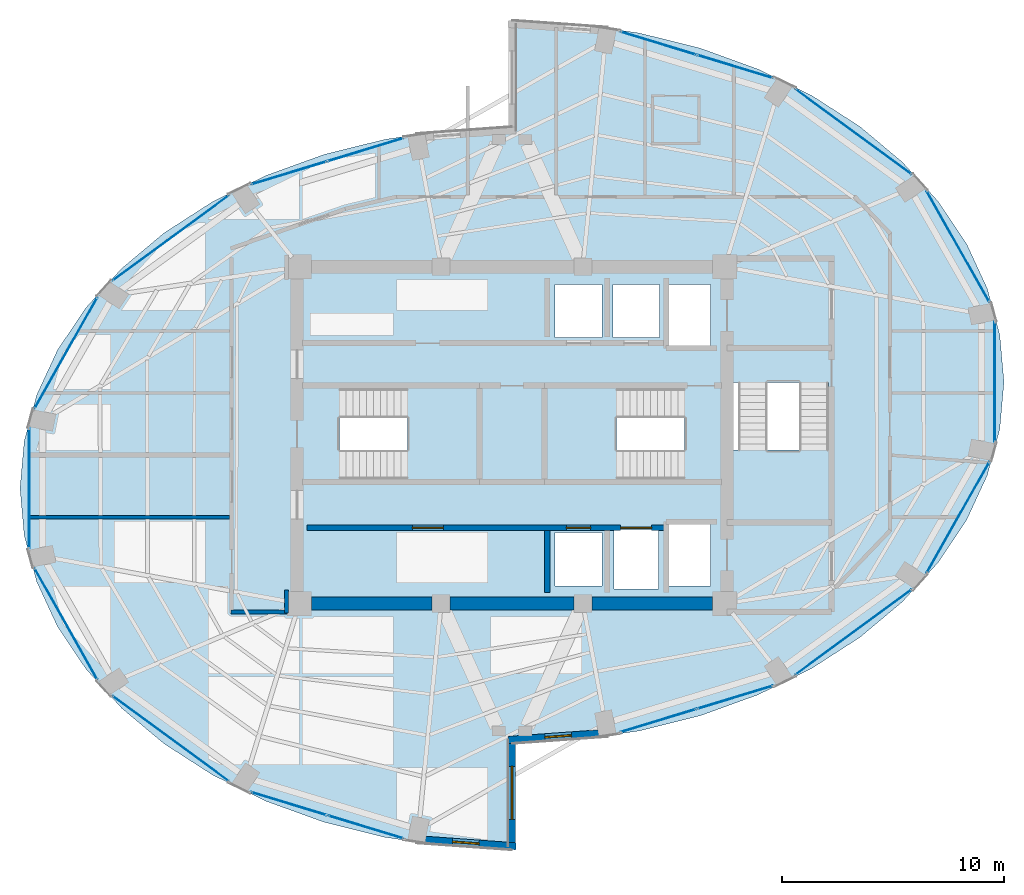
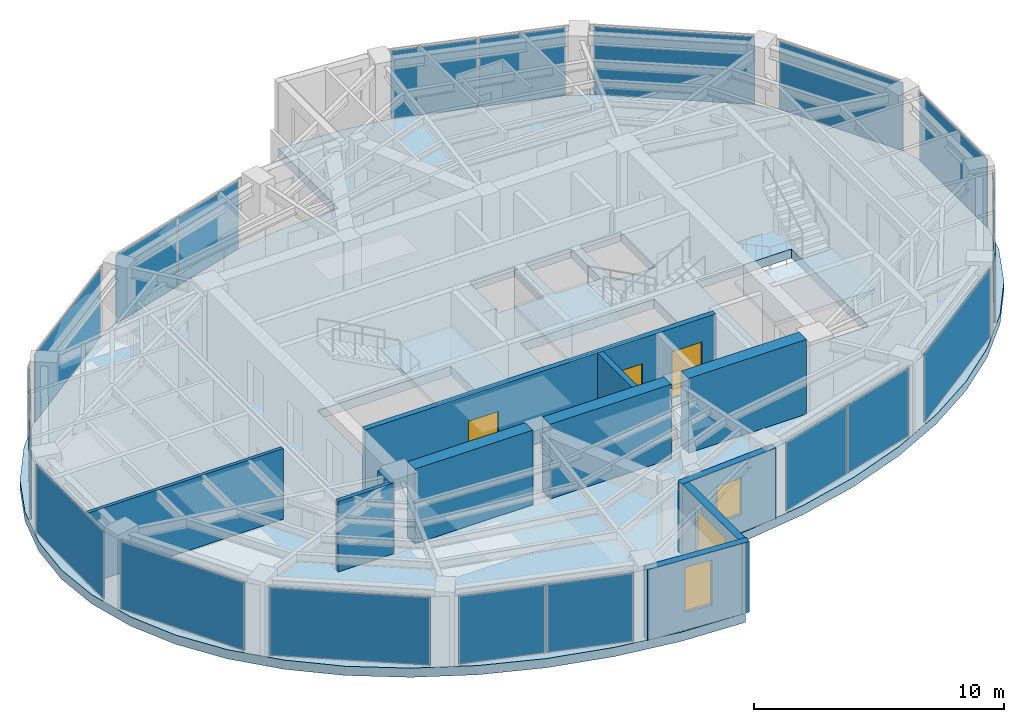
# One storey, part 18 of 23: 18 plates, 11 walls, 4 slabs, 3 doors, 3 windows, 6 openings, 17 elements without a shape of their own.
"""IFC4 building model written with IfcOpenShell, lengths in metres."""

from ifc_helpers import new_model, si_unit, direction, frame, frame_2d, origin, origin_2d, place, context, subcontext, project, spatial, polyline, rectangle, outline, extrude, material, layer, layer_set, type_object, element, fill, aggregate, save


model = new_model("IFC4")

# Units and contexts
model_context = context("Model", 3, precision=1e-05, world=origin(), true_north=direction((0.0, 1.0)))
body_context = subcontext(model_context, "Body", "Model", "MODEL_VIEW")
ifc_project = project(units=[si_unit("LENGTHUNIT", "METRE"), si_unit("AREAUNIT", "SQUARE_METRE"), si_unit("VOLUMEUNIT", "CUBIC_METRE"), si_unit("PLANEANGLEUNIT", "RADIAN"), si_unit("MASSUNIT", "GRAM", prefix="KILO")], contexts=[model_context])

# Site, building, storey
site_placement = place(None, origin())
site = spatial("IfcSite", under=ifc_project, at=site_placement, CompositionType="ELEMENT")
building_placement = place(site_placement, origin())
building = spatial("IfcBuilding", under=site, at=building_placement, Name="Lazwardi Medical Tower", CompositionType="ELEMENT")
storey_placement = place(building_placement, frame((0.0, 0.0, 194.83203125)))
storey = spatial("IfcBuildingStorey", under=building, at=storey_placement, Name="L50", CompositionType="ELEMENT", Elevation=194.83203125)

# Curtain wall, plates
ifc_material_1 = material(Name="Anodised bronze aluminium and solar control glazing", Category="aluminium")
ifc_layer_1 = layer(ifc_material_1, 0.18994140625)
ifc_layer_set_1 = layer_set([ifc_layer_1], Name="Anodised bronze aluminium and solar control glazing")
curtain_wall_type = type_object("IfcCurtainWallType", Name="CW-SYS-04", PredefinedType="NOTDEFINED", material=ifc_layer_set_1)
curtain_wall_1_placement = place(storey_placement, origin())
curtain_wall_1 = element("IfcCurtainWall", 1, at=curtain_wall_1_placement, inside=storey, type_object=curtain_wall_type, Name="L50 Unitised bronze curtain wall CW-04", PredefinedType="NOTDEFINED")
ifc_material_2 = material(Name="Low-e bronze solar control double glazing", Category="glass")
ifc_layer_2 = layer(ifc_material_2, 0.035888671875)
ifc_layer_set_2 = layer_set([ifc_layer_2], Name="Low-e bronze solar control double glazing")
plate_type = type_object("IfcPlateType", Name="PLT-GLZ-01", PredefinedType="CURTAIN_PANEL", material=ifc_layer_set_2)
plate_1_placement = place(storey_placement, frame((42.604736328125, 15.118896484375, 0.06494140625), z_axis=(0.0, 0.0, 1.0), x_axis=(0.956850126972, 0.290581889515, 0.0)))
plate_1 = element("IfcPlate", 2, at=plate_1_placement, type_object=plate_type, Name="CW-04 panel 1.1", PredefinedType="CURTAIN_PANEL", context=body_context, shape_type="SweptSolid", body=[
    extrude(rectangle(XDim=3.554443359375, YDim=0.035888671875, at=origin_2d()), origin(), (0.0, 0.0, 1.0), 3.318115234375),
])
plate_2_placement = place(storey_placement, frame((46.068115234375, 16.170654296875, 0.06494140625), z_axis=(0.0, 0.0, 1.0), x_axis=(0.956850126972, 0.290581889515, 0.0)))
plate_2 = element("IfcPlate", 3, at=plate_2_placement, type_object=plate_type, Name="CW-04 panel 2.1", PredefinedType="CURTAIN_PANEL", context=body_context, shape_type="SweptSolid", body=[
    extrude(rectangle(XDim=3.554443359375, YDim=0.035888671875, at=origin_2d()), origin(), (0.0, 0.0, 1.0), 3.318115234375),
])
aggregate(curtain_wall_1, [plate_1, plate_2])

# Curtain wall, plate
curtain_wall_2_placement = place(storey_placement, origin())
curtain_wall_2 = element("IfcCurtainWall", 4, at=curtain_wall_2_placement, inside=storey, type_object=curtain_wall_type, Name="L50 Unitised bronze curtain wall CW-04", PredefinedType="NOTDEFINED")
plate_3_placement = place(storey_placement, frame((51.403564453125, 19.106689453125, 0.06494140625), z_axis=(0.0, 0.0, 1.0), x_axis=(0.806474971121, 0.591268230971, 0.0)))
plate_3 = element("IfcPlate", 5, at=plate_3_placement, type_object=plate_type, Name="CW-04 panel 1.1", PredefinedType="CURTAIN_PANEL", context=body_context, shape_type="SweptSolid", body=[
    extrude(rectangle(XDim=6.502685546875, YDim=0.035888671875, at=origin_2d()), origin(), (0.0, 0.0, 1.0), 3.318115234375),
])
aggregate(curtain_wall_2, [plate_3])

curtain_wall_3_placement = place(storey_placement, origin())
curtain_wall_3 = element("IfcCurtainWall", 6, at=curtain_wall_3_placement, inside=storey, type_object=curtain_wall_type, Name="L50 Unitised bronze curtain wall CW-04", PredefinedType="NOTDEFINED")
plate_4_placement = place(storey_placement, frame((56.125732421875, 24.2880859375, 0.06494140625), z_axis=(0.0, 0.0, 1.0), x_axis=(0.491900474661, 0.870651436011, 0.0)))
plate_4 = element("IfcPlate", 7, at=plate_4_placement, type_object=plate_type, Name="CW-04 panel 1.1", PredefinedType="CURTAIN_PANEL", context=body_context, shape_type="SweptSolid", body=[
    extrude(rectangle(XDim=5.755126953125, YDim=0.035888671875, at=origin_2d()), origin(), (0.0, 0.0, 1.0), 3.318115234375),
])
aggregate(curtain_wall_3, [plate_4])

curtain_wall_4_placement = place(storey_placement, origin())
curtain_wall_4 = element("IfcCurtainWall", 8, at=curtain_wall_4_placement, inside=storey, type_object=curtain_wall_type, Name="L50 Unitised bronze curtain wall CW-04", PredefinedType="NOTDEFINED")
plate_5_placement = place(storey_placement, frame((57.7841796875, 30.39990234375, 0.06494140625), z_axis=(0.0, 0.0, 1.0), x_axis=(0.0, 1.0, 0.0)))
plate_5 = element("IfcPlate", 9, at=plate_5_placement, type_object=plate_type, Name="CW-04 panel 1.1", PredefinedType="CURTAIN_PANEL", context=body_context, shape_type="SweptSolid", body=[
    extrude(rectangle(XDim=5.416015625, YDim=0.035888671875, at=origin_2d()), origin(), (0.0, 0.0, 1.0), 3.318115234375),
])
aggregate(curtain_wall_4, [plate_5])

curtain_wall_5_placement = place(storey_placement, origin())
curtain_wall_5 = element("IfcCurtainWall", 10, at=curtain_wall_5_placement, inside=storey, type_object=curtain_wall_type, Name="L50 Unitised bronze curtain wall CW-04", PredefinedType="NOTDEFINED")
plate_6_placement = place(storey_placement, frame((56.125732421875, 36.511962890625, 0.06494140625), z_axis=(0.0, 0.0, 1.0), x_axis=(-0.491900474661, 0.870651436011, 0.0)))
plate_6 = element("IfcPlate", 11, at=plate_6_placement, type_object=plate_type, Name="CW-04 panel 1.1", PredefinedType="CURTAIN_PANEL", context=body_context, shape_type="SweptSolid", body=[
    extrude(rectangle(XDim=5.755126953125, YDim=0.035888671875, at=origin_2d()), origin(), (0.0, 0.0, 1.0), 3.318115234375),
])
aggregate(curtain_wall_5, [plate_6])

curtain_wall_6_placement = place(storey_placement, origin())
curtain_wall_6 = element("IfcCurtainWall", 12, at=curtain_wall_6_placement, inside=storey, type_object=curtain_wall_type, Name="L50 Unitised bronze curtain wall CW-04", PredefinedType="NOTDEFINED")
plate_7_placement = place(storey_placement, frame((51.403564453125, 41.693359375, 0.06494140625), z_axis=(0.0, 0.0, 1.0), x_axis=(-0.806474971121, 0.591268230971, 0.0)))
plate_7 = element("IfcPlate", 13, at=plate_7_placement, type_object=plate_type, Name="CW-04 panel 1.1", PredefinedType="CURTAIN_PANEL", context=body_context, shape_type="SweptSolid", body=[
    extrude(rectangle(XDim=6.502685546875, YDim=0.035888671875, at=origin_2d()), origin(), (0.0, 0.0, 1.0), 3.318115234375),
])
aggregate(curtain_wall_6, [plate_7])

# Curtain wall, plates
curtain_wall_7_placement = place(storey_placement, origin())
curtain_wall_7 = element("IfcCurtainWall", 14, at=curtain_wall_7_placement, inside=storey, type_object=curtain_wall_type, Name="L50 Unitised bronze curtain wall CW-04", PredefinedType="NOTDEFINED")
plate_8_placement = place(storey_placement, frame((46.068115234375, 44.62939453125, 0.06494140625), z_axis=(0.0, 0.0, 1.0), x_axis=(-0.956850126972, 0.290581889515, 0.0)))
plate_8 = element("IfcPlate", 15, at=plate_8_placement, type_object=plate_type, Name="CW-04 panel 1.1", PredefinedType="CURTAIN_PANEL", context=body_context, shape_type="SweptSolid", body=[
    extrude(rectangle(XDim=3.554443359375, YDim=0.035888671875, at=origin_2d()), origin(), (0.0, 0.0, 1.0), 3.318115234375),
])
plate_9_placement = place(storey_placement, frame((42.604736328125, 45.68115234375, 0.06494140625), z_axis=(0.0, 0.0, 1.0), x_axis=(-0.956850126972, 0.290581889515, 0.0)))
plate_9 = element("IfcPlate", 16, at=plate_9_placement, type_object=plate_type, Name="CW-04 panel 2.1", PredefinedType="CURTAIN_PANEL", context=body_context, shape_type="SweptSolid", body=[
    extrude(rectangle(XDim=3.554443359375, YDim=0.035888671875, at=origin_2d()), origin(), (0.0, 0.0, 1.0), 3.318115234375),
])
aggregate(curtain_wall_7, [plate_8, plate_9])

curtain_wall_8_placement = place(storey_placement, origin())
curtain_wall_8 = element("IfcCurtainWall", 17, at=curtain_wall_8_placement, inside=storey, type_object=curtain_wall_type, Name="L50 Unitised bronze curtain wall CW-04", PredefinedType="NOTDEFINED")
plate_10_placement = place(storey_placement, frame((29.395263671875, 40.881103515625, 0.06494140625), z_axis=(0.0, 0.0, 1.0), x_axis=(-0.956850126972, -0.290581889515, 0.0)))
plate_10 = element("IfcPlate", 18, at=plate_10_placement, type_object=plate_type, Name="CW-04 panel 1.1", PredefinedType="CURTAIN_PANEL", context=body_context, shape_type="SweptSolid", body=[
    extrude(rectangle(XDim=3.554443359375, YDim=0.035888671875, at=origin_2d()), origin(), (0.0, 0.0, 1.0), 3.318115234375),
])
plate_11_placement = place(storey_placement, frame((25.931884765625, 39.829345703125, 0.06494140625), z_axis=(0.0, 0.0, 1.0), x_axis=(-0.956850126972, -0.290581889515, 0.0)))
plate_11 = element("IfcPlate", 19, at=plate_11_placement, type_object=plate_type, Name="CW-04 panel 2.1", PredefinedType="CURTAIN_PANEL", context=body_context, shape_type="SweptSolid", body=[
    extrude(rectangle(XDim=3.554443359375, YDim=0.035888671875, at=origin_2d()), origin(), (0.0, 0.0, 1.0), 3.318115234375),
])
aggregate(curtain_wall_8, [plate_10, plate_11])

# Curtain wall, plate
curtain_wall_9_placement = place(storey_placement, origin())
curtain_wall_9 = element("IfcCurtainWall", 20, at=curtain_wall_9_placement, inside=storey, type_object=curtain_wall_type, Name="L50 Unitised bronze curtain wall CW-04", PredefinedType="NOTDEFINED")
plate_12_placement = place(storey_placement, frame((20.596435546875, 36.893310546875, 0.06494140625), z_axis=(0.0, 0.0, 1.0), x_axis=(-0.806474971121, -0.591268230971, 0.0)))
plate_12 = element("IfcPlate", 21, at=plate_12_placement, type_object=plate_type, Name="CW-04 panel 1.1", PredefinedType="CURTAIN_PANEL", context=body_context, shape_type="SweptSolid", body=[
    extrude(rectangle(XDim=6.502685546875, YDim=0.035888671875, at=origin_2d()), origin(), (0.0, 0.0, 1.0), 3.318115234375),
])
aggregate(curtain_wall_9, [plate_12])

curtain_wall_10_placement = place(storey_placement, origin())
curtain_wall_10 = element("IfcCurtainWall", 22, at=curtain_wall_10_placement, inside=storey, type_object=curtain_wall_type, Name="L50 Unitised bronze curtain wall CW-04", PredefinedType="NOTDEFINED")
plate_13_placement = place(storey_placement, frame((15.874267578125, 31.7119140625, 0.06494140625), z_axis=(0.0, 0.0, 1.0), x_axis=(-0.491900474661, -0.870651436011, 0.0)))
plate_13 = element("IfcPlate", 23, at=plate_13_placement, type_object=plate_type, Name="CW-04 panel 1.1", PredefinedType="CURTAIN_PANEL", context=body_context, shape_type="SweptSolid", body=[
    extrude(rectangle(XDim=5.755126953125, YDim=0.035888671875, at=origin_2d()), origin(), (0.0, 0.0, 1.0), 3.318115234375),
])
aggregate(curtain_wall_10, [plate_13])

curtain_wall_11_placement = place(storey_placement, origin())
curtain_wall_11 = element("IfcCurtainWall", 24, at=curtain_wall_11_placement, inside=storey, type_object=curtain_wall_type, Name="L50 Unitised bronze curtain wall CW-04", PredefinedType="NOTDEFINED")
plate_14_placement = place(storey_placement, frame((14.2158203125, 25.60009765625, 0.06494140625), z_axis=(0.0, 0.0, 1.0), x_axis=(0.0, -1.0, 0.0)))
plate_14 = element("IfcPlate", 25, at=plate_14_placement, type_object=plate_type, Name="CW-04 panel 1.1", PredefinedType="CURTAIN_PANEL", context=body_context, shape_type="SweptSolid", body=[
    extrude(rectangle(XDim=5.416015625, YDim=0.035888671875, at=origin_2d()), origin(), (0.0, 0.0, 1.0), 3.318115234375),
])
aggregate(curtain_wall_11, [plate_14])

curtain_wall_12_placement = place(storey_placement, origin())
curtain_wall_12 = element("IfcCurtainWall", 26, at=curtain_wall_12_placement, inside=storey, type_object=curtain_wall_type, Name="L50 Unitised bronze curtain wall CW-04", PredefinedType="NOTDEFINED")
plate_15_placement = place(storey_placement, frame((15.874267578125, 19.488037109375, 0.06494140625), z_axis=(0.0, 0.0, 1.0), x_axis=(0.491900474661, -0.870651436011, 0.0)))
plate_15 = element("IfcPlate", 27, at=plate_15_placement, type_object=plate_type, Name="CW-04 panel 1.1", PredefinedType="CURTAIN_PANEL", context=body_context, shape_type="SweptSolid", body=[
    extrude(rectangle(XDim=5.755126953125, YDim=0.035888671875, at=origin_2d()), origin(), (0.0, 0.0, 1.0), 3.318115234375),
])
aggregate(curtain_wall_12, [plate_15])

curtain_wall_13_placement = place(storey_placement, origin())
curtain_wall_13 = element("IfcCurtainWall", 28, at=curtain_wall_13_placement, inside=storey, type_object=curtain_wall_type, Name="L50 Unitised bronze curtain wall CW-04", PredefinedType="NOTDEFINED")
plate_16_placement = place(storey_placement, frame((20.596435546875, 14.306640625, 0.06494140625), z_axis=(0.0, 0.0, 1.0), x_axis=(0.806474971121, -0.591268230971, 0.0)))
plate_16 = element("IfcPlate", 29, at=plate_16_placement, type_object=plate_type, Name="CW-04 panel 1.1", PredefinedType="CURTAIN_PANEL", context=body_context, shape_type="SweptSolid", body=[
    extrude(rectangle(XDim=6.502685546875, YDim=0.035888671875, at=origin_2d()), origin(), (0.0, 0.0, 1.0), 3.318115234375),
])
aggregate(curtain_wall_13, [plate_16])

# Curtain wall, plates
curtain_wall_14_placement = place(storey_placement, origin())
curtain_wall_14 = element("IfcCurtainWall", 30, at=curtain_wall_14_placement, inside=storey, type_object=curtain_wall_type, Name="L50 Unitised bronze curtain wall CW-04", PredefinedType="NOTDEFINED")
plate_17_placement = place(storey_placement, frame((25.931884765625, 11.37060546875, 0.06494140625), z_axis=(0.0, 0.0, 1.0), x_axis=(0.956850126972, -0.290581889515, 0.0)))
plate_17 = element("IfcPlate", 31, at=plate_17_placement, type_object=plate_type, Name="CW-04 panel 1.1", PredefinedType="CURTAIN_PANEL", context=body_context, shape_type="SweptSolid", body=[
    extrude(rectangle(XDim=3.554443359375, YDim=0.035888671875, at=origin_2d()), origin(), (0.0, 0.0, 1.0), 3.318115234375),
])
plate_18_placement = place(storey_placement, frame((29.395263671875, 10.31884765625, 0.06494140625), z_axis=(0.0, 0.0, 1.0), x_axis=(0.956850126972, -0.290581889515, 0.0)))
plate_18 = element("IfcPlate", 32, at=plate_18_placement, type_object=plate_type, Name="CW-04 panel 2.1", PredefinedType="CURTAIN_PANEL", context=body_context, shape_type="SweptSolid", body=[
    extrude(rectangle(XDim=3.554443359375, YDim=0.035888671875, at=origin_2d()), origin(), (0.0, 0.0, 1.0), 3.318115234375),
])
aggregate(curtain_wall_14, [plate_17, plate_18])

# Stair, slab
ifc_material_3 = material(Name="Concrete C45/55", Category="concrete")
stair_type = type_object("IfcStairType", Name="STR-WRD", PredefinedType="HALF_TURN_STAIR", material=ifc_material_3)
stair_1_placement = place(storey_placement, origin())
stair_1 = element("IfcStair", 33, at=stair_1_placement, inside=storey, type_object=stair_type, Name="L50 Protected Exit Stair ST1", PredefinedType="HALF_TURN_STAIR")
ifc_layer_3 = layer(ifc_material_3, 0.199951171875)
ifc_layer_set_3 = layer_set([ifc_layer_3], Name="Concrete C45/55")
slab_type_1 = type_object("IfcSlabType", Name="SLB-LND-190", PredefinedType="LANDING", material=ifc_layer_set_3)
slab_1_placement = place(storey_placement, frame((0.0, 0.0, 1.6240234375)))
slab_1 = element("IfcSlab", 34, at=slab_1_placement, type_object=slab_type_1, Name="ST1 landing 1", PredefinedType="LANDING", context=body_context, shape_type="SweptSolid", body=[
    extrude(outline(polyline([(31.27490234375, 25.840087890625), (34.580078125, 25.840087890625), (34.580078125, 30.280029296875), (31.27490234375, 30.280029296875), (31.27490234375, 25.840087890625)])), origin(), (0.0, 0.0, 1.0), 0.199951171875),
])
aggregate(stair_1, [slab_1])

stair_2_placement = place(storey_placement, origin())
stair_2 = element("IfcStair", 35, at=stair_2_placement, inside=storey, type_object=stair_type, Name="L50 Protected Exit Stair ST2", PredefinedType="HALF_TURN_STAIR")
slab_2_placement = place(storey_placement, frame((0.0, 0.0, 1.6240234375)))
slab_2 = element("IfcSlab", 36, at=slab_2_placement, type_object=slab_type_1, Name="ST2 landing 1", PredefinedType="LANDING", context=body_context, shape_type="SweptSolid", body=[
    extrude(outline(polyline([(40.72509765625, 30.280029296875), (37.419921875, 30.280029296875), (37.419921875, 25.840087890625), (40.72509765625, 25.840087890625), (40.72509765625, 30.280029296875)])), origin(), (0.0, 0.0, 1.0), 0.199951171875),
])
aggregate(stair_2, [slab_2])

stair_3_placement = place(storey_placement, origin())
stair_3 = element("IfcStair", 37, at=stair_3_placement, inside=storey, type_object=stair_type, Name="L50 Protected Exit Stair ST3", PredefinedType="HALF_TURN_STAIR")
slab_3_placement = place(storey_placement, frame((0.0, 0.0, 1.6240234375)))
slab_3 = element("IfcSlab", 38, at=slab_3_placement, type_object=slab_type_1, Name="ST3 landing 1", PredefinedType="LANDING", context=body_context, shape_type="SweptSolid", body=[
    extrude(outline(polyline([(45.860107421875, 27.324951171875), (45.860107421875, 24.02001953125), (50.4599609375, 24.02001953125), (50.4599609375, 27.324951171875), (45.860107421875, 27.324951171875)])), origin(), (0.0, 0.0, 1.0), 0.199951171875),
])
aggregate(stair_3, [slab_3])

# Slab
ifc_material_4 = material(Name="Concrete C60/75", Category="concrete")
ifc_layer_4 = layer(ifc_material_4, 0.449951171875)
ifc_layer_set_4 = layer_set([ifc_layer_4], Name="Concrete C60/75")
slab_type_2 = type_object("IfcSlabType", Name="SLB-TRN-450", PredefinedType="FLOOR", material=ifc_layer_set_4)
slab_4_placement = place(storey_placement, frame((0.0, 0.0, -0.449951171875)))
element("IfcSlab", 39, at=slab_4_placement, inside=storey, type_object=slab_type_2, Name="Structural floor slab SF-02 L50", PredefinedType="FLOOR", context=body_context, shape_type="SweptSolid", body=[
    extrude(outline(polyline([(18.3876953125, 15.67724609375), (20.30224609375, 14.07421875), (22.485595703125, 12.668212890625), (24.89990234375, 11.48388671875), (27.50439453125, 10.540771484375), (30.254150390625, 9.85546875), (33.102294921875, 9.439453125), (36.0, 9.300048828125), (36.0, 14.10009765625), (38.897705078125, 14.239501953125), (41.745849609375, 14.655517578125), (44.49560546875, 15.3408203125), (47.10009765625, 16.28369140625), (49.514404296875, 17.46826171875), (51.69775390625, 18.874267578125), (53.6123046875, 20.477294921875), (55.225830078125, 22.25), (56.510009765625, 24.162353515625), (57.443603515625, 26.18115234375), (58.010009765625, 28.2724609375), (58.199951171875, 30.39990234375), (58.010009765625, 32.527587890625), (57.443603515625, 34.618896484375), (56.510009765625, 36.6376953125), (55.225830078125, 38.550048828125), (53.6123046875, 40.32275390625), (51.69775390625, 41.92578125), (49.514404296875, 43.331787109375), (47.10009765625, 44.51611328125), (44.49560546875, 45.459228515625), (41.745849609375, 46.14453125), (38.897705078125, 46.560546875), (36.0, 46.699951171875), (36.0, 41.89990234375), (33.102294921875, 41.760498046875), (30.254150390625, 41.344482421875), (27.50439453125, 40.6591796875), (24.89990234375, 39.71630859375), (22.485595703125, 38.53173828125), (20.30224609375, 37.125732421875), (18.3876953125, 35.522705078125), (16.774169921875, 33.75), (15.489990234375, 31.837646484375), (14.556396484375, 29.81884765625), (13.989990234375, 27.7275390625), (13.800048828125, 25.60009765625), (13.989990234375, 23.472412109375), (14.556396484375, 21.381103515625), (15.489990234375, 19.3623046875), (16.774169921875, 17.449951171875), (18.3876953125, 15.67724609375)]), holes=[polyline([(28.22509765625, 26.02001953125), (28.22509765625, 30.10009765625), (34.39990234375, 30.10009765625), (34.39990234375, 26.02001953125), (28.22509765625, 26.02001953125)]), polyline([(37.60009765625, 30.10009765625), (43.77490234375, 30.10009765625), (43.77490234375, 26.02001953125), (37.60009765625, 26.02001953125), (37.60009765625, 30.10009765625)]), polyline([(50.280029296875, 30.375), (50.280029296875, 24.179931640625), (45.840087890625, 24.179931640625), (45.840087890625, 30.375), (50.280029296875, 30.375)]), polyline([(40.050048828125, 32.39990234375), (37.949951171875, 32.39990234375), (37.949951171875, 34.800048828125), (40.050048828125, 34.800048828125), (40.050048828125, 32.39990234375)]), polyline([(40.550048828125, 32.39990234375), (40.550048828125, 34.800048828125), (42.64990234375, 34.800048828125), (42.64990234375, 32.39990234375), (40.550048828125, 32.39990234375)]), polyline([(37.949951171875, 23.60009765625), (40.050048828125, 23.60009765625), (40.050048828125, 21.199951171875), (37.949951171875, 21.199951171875), (37.949951171875, 23.60009765625)]), polyline([(44.949951171875, 34.800048828125), (44.949951171875, 32.0), (43.050048828125, 32.0), (43.050048828125, 34.800048828125), (44.949951171875, 34.800048828125)]), polyline([(44.949951171875, 21.199951171875), (43.050048828125, 21.199951171875), (43.050048828125, 24.0), (44.949951171875, 24.0), (44.949951171875, 21.199951171875)]), polyline([(40.60009765625, 21.050048828125), (40.60009765625, 23.75), (42.60009765625, 23.75), (42.60009765625, 21.050048828125), (40.60009765625, 21.050048828125)])]), origin(), (0.0, 0.0, 1.0), 0.449951171875),
])

# Walls
ifc_material_5 = material(Name="Fire-rated gypsum board on steel stud", Category="steel")
ifc_layer_5 = layer(ifc_material_5, 0.179931640625)
ifc_layer_set_5 = layer_set([ifc_layer_5], Name="Fire-rated gypsum board on steel stud")
wall_type_1 = type_object("IfcWallType", Name="WL-COR-180", PredefinedType="PARTITIONING", material=ifc_layer_set_5)
wall_1_placement = place(storey_placement, frame((25.830078125, 21.010009765625, 0.0), z_axis=(0.0, 0.0, 1.0), x_axis=(0.0, -1.0, 0.0)))
element("IfcWall", 40, at=wall_1_placement, inside=storey, type_object=wall_type_1, Name="L50 Corridor partition 8", PredefinedType="PARTITIONING", context=body_context, shape_type="SweptSolid", body=[
    extrude(rectangle(XDim=1.030029296875, YDim=0.179931640625, at=frame_2d((0.51513671875, 0.0))), origin(), (0.0, 0.0, 1.0), 3.447998046875),
])
wall_2_placement = place(storey_placement, frame((25.8701171875, 20.02001953125, 0.0), z_axis=(0.0, 0.0, 1.0), x_axis=(-1.0, 0.0, 0.0)))
element("IfcWall", 41, at=wall_2_placement, inside=storey, type_object=wall_type_1, Name="L50 Corridor partition 9", PredefinedType="PARTITIONING", context=body_context, shape_type="SweptSolid", body=[
    extrude(rectangle(XDim=2.56005859375, YDim=0.179931640625, at=frame_2d((1.280029296875, 0.0))), origin(), (0.0, 0.0, 1.0), 3.447998046875),
])
ifc_layer_6 = layer(ifc_material_4, 0.60009765625)
ifc_layer_set_6 = layer_set([ifc_layer_6], Name="Concrete C60/75")
wall_type_2 = type_object("IfcWallType", Name="WL-CORE-600", PredefinedType="SHEAR", material=ifc_layer_set_6)
wall_3_placement = place(storey_placement, frame((26.949951171875, 20.39990234375, 0.0), z_axis=(0.0, 0.0, 1.0), x_axis=(1.0, 0.0, 0.0)))
element("IfcWall", 42, at=wall_3_placement, inside=storey, type_object=wall_type_2, Name="Core wall CW-S3 S1 L50", PredefinedType="SHEAR", context=body_context, shape_type="SweptSolid", body=[
    extrude(rectangle(XDim=5.449951171875, YDim=0.60009765625, at=frame_2d((2.72509765625, 0.0))), origin(), (0.0, 0.0, 1.0), 3.64794921875),
])
wall_4_placement = place(storey_placement, frame((33.199951171875, 20.39990234375, 0.0), z_axis=(0.0, 0.0, 1.0), x_axis=(1.0, 0.0, 0.0)))
element("IfcWall", 43, at=wall_4_placement, inside=storey, type_object=wall_type_2, Name="Core wall CW-S3 S2 L50", PredefinedType="SHEAR", context=body_context, shape_type="SweptSolid", body=[
    extrude(rectangle(XDim=5.60009765625, YDim=0.60009765625, at=frame_2d((2.800048828125, 0.0))), origin(), (0.0, 0.0, 1.0), 3.64794921875),
])
wall_5_placement = place(storey_placement, frame((39.60009765625, 20.39990234375, 0.0), z_axis=(0.0, 0.0, 1.0), x_axis=(1.0, 0.0, 0.0)))
element("IfcWall", 44, at=wall_5_placement, inside=storey, type_object=wall_type_2, Name="Core wall CW-S3 S3 L50", PredefinedType="SHEAR", context=body_context, shape_type="SweptSolid", body=[
    extrude(rectangle(XDim=5.449951171875, YDim=0.60009765625, at=frame_2d((2.72509765625, 0.0))), origin(), (0.0, 0.0, 1.0), 3.64794921875),
])

# Wall, opening, window
ifc_material_6 = material(Name="Precast concrete C45/55", Category="concrete")
ifc_layer_7 = layer(ifc_material_6, 0.320068359375)
ifc_layer_set_7 = layer_set([ifc_layer_7], Name="Precast concrete C45/55")
wall_type_3 = type_object("IfcWallType", Name="WL-IWAN-320", PredefinedType="SOLIDWALL", material=ifc_layer_set_7)
wall_6_placement = place(storey_placement, frame((35.820556640625, 14.2470703125, 0.0), z_axis=(0.0, 0.0, 1.0), x_axis=(0.997409061056, 0.071938619141, 0.0)))
wall_6 = element("IfcWall", 45, at=wall_6_placement, inside=storey, type_object=wall_type_3, Name="L50 Iwan Portal Return Wall SE_ret", PredefinedType="SOLIDWALL", context=body_context, shape_type="SweptSolid", body=[
    extrude(rectangle(XDim=4.540771484375, YDim=0.320068359375, at=frame_2d((2.2705078125, 0.0))), origin(), (0.0, 0.0, 1.0), 3.447998046875),
])
opening_1_placement = place(wall_6_placement, frame((1.67041015625, 0.0, 0.85009765625)))
opening_1 = element("IfcOpeningElement", 46, at=opening_1_placement, cuts=wall_6, Name="Opening WN-04", PredefinedType="OPENING", context=body_context, shape_type="SweptSolid", body=[
    extrude(rectangle(XDim=1.199951171875, YDim=1.800048828125, at=frame_2d((0.60009765625, 0.89990234375))), frame((0.0, 0.169921875, 0.0), z_axis=(0.0, -1.0, 0.0), x_axis=(1.0, 0.0, 0.0)), (0.0, 0.0, 1.0), 0.340087890625),
])
window_type_1 = type_object("IfcWindowType", Name="WIN-DRUM-1200", PartitioningType="SINGLE_PANEL", PredefinedType="WINDOW", material=ifc_material_2)
window_1_placement = place(opening_1_placement, origin())
window_1 = element("IfcWindow", 47, at=window_1_placement, inside=storey, type_object=window_type_1, Name="L50 Iwan Slot Window SE_ret", OverallHeight=1.800048828125, OverallWidth=1.199951171875, PartitioningType="SINGLE_PANEL", PredefinedType="WINDOW", context=body_context, shape_type="SweptSolid", body=[
    extrude(rectangle(XDim=1.199951171875, YDim=1.800048828125, at=frame_2d((0.60009765625, 0.89990234375))), frame((0.0, 0.030029296875, 0.0), z_axis=(0.0, -1.0, 0.0), x_axis=(1.0, 0.0, 0.0)), (0.0, 0.0, 1.0), 0.06005859375),
])
fill(opening_1, window_1)

wall_7_placement = place(storey_placement, frame((31.650390625, 9.773681640625, 0.0), z_axis=(0.0, 0.0, 1.0), x_axis=(0.997408782787, -0.071942477163, 0.0)))
wall_7 = element("IfcWall", 48, at=wall_7_placement, inside=storey, type_object=wall_type_3, Name="L50 Iwan Portal Return Wall SW_ret", PredefinedType="SOLIDWALL", context=body_context, shape_type="SweptSolid", body=[
    extrude(rectangle(XDim=4.54052734375, YDim=0.320068359375, at=frame_2d((2.270263671875, 0.0))), origin(), (0.0, 0.0, 1.0), 3.447998046875),
])
opening_2_placement = place(wall_7_placement, frame((1.67041015625, 0.0, 0.85009765625)))
opening_2 = element("IfcOpeningElement", 49, at=opening_2_placement, cuts=wall_7, Name="Opening WN-01", PredefinedType="OPENING", context=body_context, shape_type="SweptSolid", body=[
    extrude(rectangle(XDim=1.199951171875, YDim=2.199951171875, at=frame_2d((0.60009765625, 1.10009765625))), frame((0.0, 0.169921875, 0.0), z_axis=(0.0, -1.0, 0.0), x_axis=(1.0, 0.0, 0.0)), (0.0, 0.0, 1.0), 0.340087890625),
])
window_type_2 = type_object("IfcWindowType", Name="WIN-IW-1200", PartitioningType="SINGLE_PANEL", PredefinedType="WINDOW", material=ifc_material_2)
window_2_placement = place(opening_2_placement, origin())
window_2 = element("IfcWindow", 50, at=window_2_placement, inside=storey, type_object=window_type_2, Name="L50 Iwan Slot Window SW_ret", OverallHeight=2.199951171875, OverallWidth=1.199951171875, PartitioningType="SINGLE_PANEL", PredefinedType="WINDOW", context=body_context, shape_type="SweptSolid", body=[
    extrude(rectangle(XDim=1.199951171875, YDim=2.199951171875, at=frame_2d((0.60009765625, 1.10009765625))), frame((0.0, 0.030029296875, 0.0), z_axis=(0.0, -1.0, 0.0), x_axis=(1.0, 0.0, 0.0)), (0.0, 0.0, 1.0), 0.06005859375),
])
fill(opening_2, window_2)

wall_8_placement = place(storey_placement, frame((36.0, 9.300048828125, 0.0), z_axis=(0.0, 0.0, 1.0), x_axis=(0.0, 1.0, 0.0)))
wall_8 = element("IfcWall", 51, at=wall_8_placement, inside=storey, type_object=wall_type_3, Name="L50 Turquoise Tilework Iwan Seam Wall S_seam", PredefinedType="SOLIDWALL", context=body_context, shape_type="SweptSolid", body=[
    extrude(rectangle(XDim=5.119873046875, YDim=0.320068359375, at=frame_2d((2.56005859375, 0.0))), origin(), (0.0, 0.0, 1.0), 3.447998046875),
])
opening_3_placement = place(wall_8_placement, frame((1.360107421875, 0.0, 0.840087890625)))
opening_3 = element("IfcOpeningElement", 52, at=opening_3_placement, cuts=wall_8, Name="Opening WN-02", PredefinedType="OPENING", context=body_context, shape_type="SweptSolid", body=[
    extrude(rectangle(XDim=2.39990234375, YDim=2.0400390625, at=frame_2d((1.199951171875, 1.02001953125))), frame((0.0, 0.169921875, 0.0), z_axis=(0.0, -1.0, 0.0), x_axis=(1.0, 0.0, 0.0)), (0.0, 0.0, 1.0), 0.340087890625),
])
window_type_3 = type_object("IfcWindowType", Name="WIN-IW-2400", PartitioningType="SINGLE_PANEL", PredefinedType="WINDOW", material=ifc_material_2)
window_3_placement = place(opening_3_placement, origin())
window_3 = element("IfcWindow", 53, at=window_3_placement, inside=storey, type_object=window_type_3, Name="L50 Iwan Seam Window S_seam", OverallHeight=2.0400390625, OverallWidth=2.39990234375, PartitioningType="SINGLE_PANEL", PredefinedType="WINDOW", context=body_context, shape_type="SweptSolid", body=[
    extrude(rectangle(XDim=2.39990234375, YDim=2.0400390625, at=frame_2d((1.199951171875, 1.02001953125))), frame((0.0, 0.030029296875, 0.0), z_axis=(0.0, -1.0, 0.0), x_axis=(1.0, 0.0, 0.0)), (0.0, 0.0, 1.0), 0.06005859375),
])
fill(opening_3, window_3)

# Wall, openings, doors
ifc_material_7 = material(Name="Autoclaved aerated concrete blockwork", Category="masonry")
ifc_layer_8 = layer(ifc_material_7, 0.25)
ifc_layer_set_8 = layer_set([ifc_layer_8], Name="Autoclaved aerated concrete blockwork")
wall_type_4 = type_object("IfcWallType", Name="WL-SHAFT-250", PredefinedType="SOLIDWALL", material=ifc_layer_set_8)
wall_9_placement = place(storey_placement, frame((26.75, 23.830078125, 0.0), z_axis=(0.0, 0.0, 1.0), x_axis=(1.0, 0.0, 0.0)))
wall_9 = element("IfcWall", 54, at=wall_9_placement, inside=storey, type_object=wall_type_4, Name="L50 South lift bank front wall", PredefinedType="SOLIDWALL", context=body_context, shape_type="SweptSolid", body=[
    extrude(rectangle(XDim=16.199951171875, YDim=0.25, at=frame_2d((8.10009765625, 0.0))), origin(), (0.0, 0.0, 1.0), 3.447998046875),
])
opening_4_placement = place(wall_9_placement, frame((4.75, 0.0, 0.0)))
opening_4 = element("IfcOpeningElement", 55, at=opening_4_placement, cuts=wall_9, Name="Opening D-L50-004", PredefinedType="OPENING", context=body_context, shape_type="SweptSolid", body=[
    extrude(rectangle(XDim=1.39990234375, YDim=2.199951171875, at=frame_2d((0.699951171875, 1.10009765625))), frame((0.0, 0.135009765625, 0.0), z_axis=(0.0, -1.0, 0.0), x_axis=(1.0, 0.0, 0.0)), (0.0, 0.0, 1.0), 0.27001953125),
])
opening_5_placement = place(wall_9_placement, frame((11.699951171875, 0.0, 0.0)))
opening_5 = element("IfcOpeningElement", 56, at=opening_5_placement, cuts=wall_9, Name="Opening LD-L50-006", PredefinedType="OPENING", context=body_context, shape_type="SweptSolid", body=[
    extrude(rectangle(XDim=1.10009765625, YDim=2.199951171875, at=frame_2d((0.550048828125, 1.10009765625))), frame((0.0, 0.135009765625, 0.0), z_axis=(0.0, -1.0, 0.0), x_axis=(1.0, 0.0, 0.0)), (0.0, 0.0, 1.0), 0.27001953125),
])
opening_6_placement = place(wall_9_placement, frame((14.14990234375, 0.0, 0.0)))
opening_6 = element("IfcOpeningElement", 57, at=opening_6_placement, cuts=wall_9, Name="Opening LD-L50-003", PredefinedType="OPENING", context=body_context, shape_type="SweptSolid", body=[
    extrude(rectangle(XDim=1.39990234375, YDim=2.300048828125, at=frame_2d((0.699951171875, 1.14990234375))), frame((0.0, 0.135009765625, 0.0), z_axis=(0.0, -1.0, 0.0), x_axis=(1.0, 0.0, 0.0)), (0.0, 0.0, 1.0), 0.27001953125),
])
ifc_material_8 = material(Name="Anti-microbial laminate hospital leaf")
door_type_1 = type_object("IfcDoorType", Name="DR-BED-1400", OperationType="NOTDEFINED", PredefinedType="DOOR", material=ifc_material_8)
door_1_placement = place(opening_4_placement, origin())
door_1 = element("IfcDoor", 58, at=door_1_placement, inside=storey, type_object=door_type_1, Name="L50 Core South Suite Door", OperationType="SINGLE_SWING_RIGHT", OverallHeight=2.199951171875, OverallWidth=1.39990234375, PredefinedType="DOOR", context=body_context, shape_type="SweptSolid", body=[
    extrude(rectangle(XDim=1.39990234375, YDim=2.199951171875, at=frame_2d((0.699951171875, 1.10009765625))), frame((0.0, 0.02490234375, 0.0), z_axis=(0.0, -1.0, 0.0), x_axis=(1.0, 0.0, 0.0)), (0.0, 0.0, 1.0), 0.050048828125),
])
fill(opening_4, door_1)
ifc_material_9 = material(Name="Brushed bronze stainless steel landing door", Category="steel")
door_type_2 = type_object("IfcDoorType", Name="DR-LFT-1100", OperationType="NOTDEFINED", PredefinedType="DOOR", material=ifc_material_9)
door_2_placement = place(opening_5_placement, origin())
door_2 = element("IfcDoor", 59, at=door_2_placement, inside=storey, type_object=door_type_2, Name="L50 Lift Landing Door PL-11", OperationType="SLIDING_TO_LEFT", OverallHeight=2.199951171875, OverallWidth=1.10009765625, PredefinedType="DOOR", context=body_context, shape_type="SweptSolid", body=[
    extrude(rectangle(XDim=1.10009765625, YDim=2.199951171875, at=frame_2d((0.550048828125, 1.10009765625))), frame((0.0, 0.02490234375, 0.0), z_axis=(0.0, -1.0, 0.0), x_axis=(1.0, 0.0, 0.0)), (0.0, 0.0, 1.0), 0.050048828125),
])
fill(opening_5, door_2)
ifc_material_10 = material(Name="Brushed stainless steel bed-lift landing door", Category="steel")
door_type_3 = type_object("IfcDoorType", Name="DR-LFT-1400", OperationType="NOTDEFINED", PredefinedType="DOOR", material=ifc_material_10)
door_3_placement = place(opening_6_placement, origin())
door_3 = element("IfcDoor", 60, at=door_3_placement, inside=storey, type_object=door_type_3, Name="L50 Lift Landing Door FL-03", OperationType="SLIDING_TO_LEFT", OverallHeight=2.300048828125, OverallWidth=1.39990234375, PredefinedType="DOOR", context=body_context, shape_type="SweptSolid", body=[
    extrude(rectangle(XDim=1.39990234375, YDim=2.300048828125, at=frame_2d((0.699951171875, 1.14990234375))), frame((0.0, 0.02490234375, 0.0), z_axis=(0.0, -1.0, 0.0), x_axis=(1.0, 0.0, 0.0)), (0.0, 0.0, 1.0), 0.050048828125),
])
fill(opening_6, door_3)

# Walls
wall_10_placement = place(storey_placement, frame((37.60009765625, 20.89990234375, 0.0), z_axis=(0.0, 0.0, 1.0), x_axis=(0.0, 1.0, 0.0)))
element("IfcWall", 61, at=wall_10_placement, inside=storey, type_object=wall_type_4, Name="L50 South hoistway divider", PredefinedType="SOLIDWALL", context=body_context, shape_type="SweptSolid", body=[
    extrude(rectangle(XDim=2.800048828125, YDim=0.25, at=frame_2d((1.39990234375, 0.0))), origin(), (0.0, 0.0, 1.0), 3.447998046875),
])
ifc_material_11 = material(Name="Acoustic gypsum board partition")
ifc_layer_9 = layer(ifc_material_11, 0.14990234375)
ifc_layer_set_9 = layer_set([ifc_layer_9], Name="Acoustic gypsum board partition")
wall_type_5 = type_object("IfcWallType", Name="WL-WRD-150", PredefinedType="PARTITIONING", material=ifc_layer_set_9)
wall_11_placement = place(storey_placement, frame((14.228271484375, 24.300048828125, 0.0), z_axis=(0.0, 0.0, 1.0), x_axis=(1.0, 0.0, 0.0)))
element("IfcWall", 62, at=wall_11_placement, inside=storey, type_object=wall_type_5, Name="L50 Room partition 1", PredefinedType="PARTITIONING", context=body_context, shape_type="SweptSolid", body=[
    extrude(rectangle(XDim=9.03173828125, YDim=0.14990234375, at=frame_2d((4.515869140625, 0.0))), origin(), (0.0, 0.0, 1.0), 3.447998046875),
])

save(model, "model.ifc")
